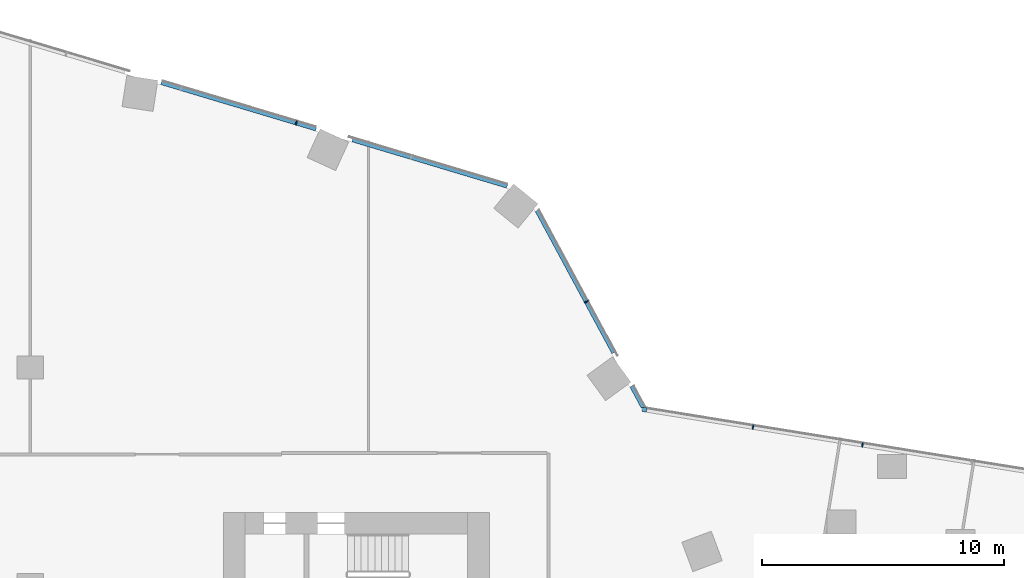
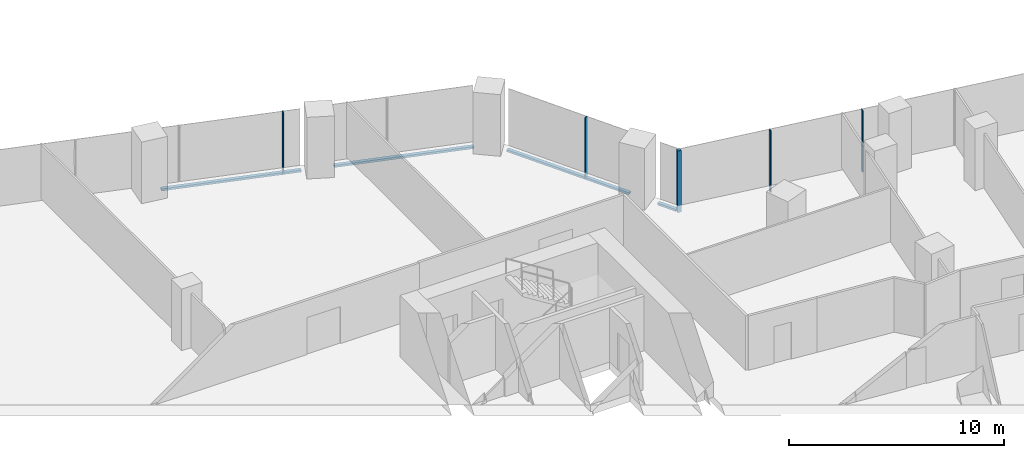
# One storey, part 13 of 34: 9 members, 3 elements without a shape of their own.
"""IFC4 building model written with IfcOpenShell, lengths in metres."""

import ifcopenshell
import ifcopenshell.guid

model = None  # the IFC model being written
_history = None  # IfcOwnerHistory: only IFC2X3 demands one
_inside = {}  # id of a spatial element -> (the spatial element, [elements in it])
_under = {}  # id of a project, library or spatial element -> (it, [spatial elements below it])
_declared = {}  # id of a project -> (the project, [libraries it declares])
_typed = {}  # id of a type object -> (the type object, [elements of that type])
_made_of = {}  # id of a material, layer set ... -> (it, [elements and type objects made of it])


def new_model(schema):
    """Start an empty IFC model of exactly this schema.

    Asked for "IFC4X3", IfcOpenShell would pick the latest addendum, in which some entities
    have other attributes; the version numbers below select the first issue.
    IFC2X3 requires an IfcOwnerHistory on every rooted entity: one is made here for all.
    """
    global model, _history
    if schema == "IFC4X3":
        model = ifcopenshell.file(schema_version=(4, 3, 0, 0))
    else:
        model = ifcopenshell.file(schema=schema)
    _inside.clear()
    _under.clear()
    _declared.clear()
    _typed.clear()
    _made_of.clear()
    _history = None
    if model.schema == "IFC2X3":
        org = make("IfcOrganization", Name="unknown")
        user = make(
            "IfcPersonAndOrganization",
            ThePerson=make("IfcPerson", FamilyName="unknown"),
            TheOrganization=org,
        )
        app = make(
            "IfcApplication",
            ApplicationDeveloper=org,
            Version="unknown",
            ApplicationFullName="unknown",
            ApplicationIdentifier="unknown",
        )
        _history = make(
            "IfcOwnerHistory",
            OwningUser=user,
            OwningApplication=app,
            ChangeAction="ADDED",
            CreationDate=0,
        )
    return model


def make(cls, **values):
    """One entity of the class cls with the attributes given. An attribute that is None is left unset."""
    return model.create_entity(
        cls, **{name: value for name, value in values.items() if value is not None}
    )


def rooted(cls, **values):
    """An entity with a GlobalId (a new one), such as an element, a storey or a relation."""
    return make(cls, GlobalId=ifcopenshell.guid.new(), OwnerHistory=_history, **values)


def si_unit(unit_type, name, prefix=None):
    """IfcSIUnit, for example si_unit("LENGTHUNIT", "METRE", prefix="MILLI")."""
    return make("IfcSIUnit", UnitType=unit_type, Prefix=prefix, Name=name)


def assignment(units):
    """IfcUnitAssignment: the units of a project."""
    return None if units is None else make("IfcUnitAssignment", Units=units)


def point(xyz):
    """IfcCartesianPoint."""
    return None if xyz is None else make("IfcCartesianPoint", Coordinates=xyz)


def direction(xyz):
    """IfcDirection."""
    return None if xyz is None else make("IfcDirection", DirectionRatios=xyz)


def frame(location, z_axis=None, x_axis=None):
    """IfcAxis2Placement3D, a coordinate frame: its origin and axes. An axis left out is left unset."""
    return make(
        "IfcAxis2Placement3D",
        Location=point(location),
        Axis=direction(z_axis),
        RefDirection=direction(x_axis),
    )


def frame_2d(location, x_axis=None):
    """IfcAxis2Placement2D, a coordinate frame in the plane: its origin and x axis."""
    return make(
        "IfcAxis2Placement2D", Location=point(location), RefDirection=direction(x_axis)
    )


def origin():
    """The frame at (0, 0, 0) with its axes left unset."""
    return frame((0.0, 0.0, 0.0))


def origin_2d():
    """The frame at (0, 0) in the plane with its x axis left unset."""
    return frame_2d((0.0, 0.0))


def place(relative_to, where):
    """IfcLocalPlacement: puts the frame where relative to a parent placement (None: the world)."""
    return make(
        "IfcLocalPlacement", PlacementRelTo=relative_to, RelativePlacement=where
    )


def context(
    kind, dimensions, precision=None, world=None, true_north=None, identifier=None
):
    """IfcGeometricRepresentationContext, for example the 3D "Model" context."""
    return make(
        "IfcGeometricRepresentationContext",
        ContextIdentifier=identifier,
        ContextType=kind,
        CoordinateSpaceDimension=dimensions,
        Precision=precision,
        WorldCoordinateSystem=world,
        TrueNorth=true_north,
    )


def subcontext(parent, identifier, kind, view, scale=None):
    """IfcGeometricRepresentationSubContext, for example "Body" below "Model"."""
    return make(
        "IfcGeometricRepresentationSubContext",
        ContextIdentifier=identifier,
        ContextType=kind,
        ParentContext=parent,
        TargetScale=scale,
        TargetView=view,
    )


def project(units=None, contexts=None):
    """IfcProject with its units and contexts."""
    return rooted(
        "IfcProject",
        Name="project",
        RepresentationContexts=contexts,
        UnitsInContext=assignment(units),
    )


def spatial(cls, under=None, at=None, **own):
    """A site, building, storey or space (cls), placed at a placement, below another one or the project."""
    s = rooted(cls, ObjectPlacement=at, **own)
    if under is not None:
        _under.setdefault(under.id(), (under, []))[1].append(s)
    return s


def profile(cls, at=None, kind="AREA", **sizes):
    """A parametric profile (cls). Its sizes go by their IFC names, for example OverallWidth=200.0."""
    return make(cls, ProfileType=kind, Position=at, **sizes)


def rectangle(**sizes):
    """IfcRectangleProfileDef."""
    return profile("IfcRectangleProfileDef", **sizes)


def extrude(swept, where, along, depth):
    """IfcExtrudedAreaSolid: the profile swept, set in the frame where, extruded along a direction by depth."""
    return make(
        "IfcExtrudedAreaSolid",
        SweptArea=swept,
        Position=where,
        ExtrudedDirection=direction(along),
        Depth=depth,
    )


def shape(context_of_items, identifier, shape_type, items):
    """IfcShapeRepresentation: the items that make up one representation, for example the "Body"."""
    return make(
        "IfcShapeRepresentation",
        ContextOfItems=context_of_items,
        RepresentationIdentifier=identifier,
        RepresentationType=shape_type,
        Items=items,
    )


def material(Name=None, Category=None):
    """IfcMaterial."""
    return make("IfcMaterial", Name=Name, Category=Category)


def material_profile(
    of_material, cross_section, Name=None, Category=None, Priority=None
):
    """IfcMaterialProfile: a cross section and its material."""
    return make(
        "IfcMaterialProfile",
        Name=Name,
        Material=of_material,
        Profile=cross_section,
        Priority=Priority,
        Category=Category,
    )


def profile_set(profiles, Name=None, composite=None):
    """IfcMaterialProfileSet."""
    return make(
        "IfcMaterialProfileSet",
        Name=Name,
        MaterialProfiles=profiles,
        CompositeProfile=composite,
    )


def made_of(thing, what):
    """Note that an element or type object is made of a material, layer set ...; save() writes the relation."""
    if what is not None:
        _made_of.setdefault(what.id(), (what, []))[1].append(thing)
    return thing


def type_object(cls, material=None, **own):
    """A type object (cls), such as IfcWallType, which elements share."""
    return made_of(rooted(cls, **own), material)


def element(
    cls,
    number,
    at=None,
    inside=None,
    cuts=None,
    type_object=None,
    material=None,
    context=None,
    identifier="Body",
    shape_type=None,
    held_by="IfcProductDefinitionShape",
    body=None,
    shapes=None,
    **own,
):
    """One element of the class cls, such as IfcWall. Its Tag is "e" and its number.

    at: its placement. inside: the storey or other place that contains it. cuts: it is an
    opening in that element (IfcRelVoidsElement). A single representation is given by context,
    identifier, shape_type and body (its items); several are given by shapes. held_by: the class
    of the entity that holds the representations. save() writes the other relations.
    """
    e = rooted(cls, Tag="e%d" % number, ObjectPlacement=at, **own)
    if body is not None:
        shapes = [shape(context, identifier, shape_type, body)]
    if shapes is not None:
        e.Representation = make(held_by, Representations=shapes)
    if inside is not None:
        _inside.setdefault(inside.id(), (inside, []))[1].append(e)
    if cuts is not None:
        rooted(
            "IfcRelVoidsElement", RelatingBuildingElement=cuts, RelatedOpeningElement=e
        )
    if type_object is not None:
        _typed.setdefault(type_object.id(), (type_object, []))[1].append(e)
    return made_of(e, material)


def aggregate(whole, parts):
    """IfcRelAggregates: a whole, such as a stair, and the parts it consists of."""
    return rooted("IfcRelAggregates", RelatingObject=whole, RelatedObjects=parts)


def save(model, path):
    """Write the relations noted so far, then the file.

    IfcRelAggregates (storeys below a building ...), IfcRelContainedInSpatialStructure (elements
    in a storey), IfcRelDefinesByType, IfcRelAssociatesMaterial and IfcRelDeclares: one each for
    every whole, place, type object, material and project.
    """
    for whole, parts in _under.values():
        aggregate(whole, parts)
    for where, things in _inside.values():
        rooted(
            "IfcRelContainedInSpatialStructure",
            RelatedElements=things,
            RelatingStructure=where,
        )
    for kind, things in _typed.values():
        rooted("IfcRelDefinesByType", RelatedObjects=things, RelatingType=kind)
    for what, things in _made_of.values():
        rooted("IfcRelAssociatesMaterial", RelatedObjects=things, RelatingMaterial=what)
    for by, libraries in _declared.values():
        rooted("IfcRelDeclares", RelatingContext=by, RelatedDefinitions=libraries)
    model.write(path)


model = new_model("IFC4")

# Units and contexts
model_context = context("Model", 3, precision=1e-05, world=origin(), true_north=direction((0.0, 1.0)))
body_context = subcontext(model_context, "Body", "Model", "MODEL_VIEW")
ifc_project = project(units=[si_unit("LENGTHUNIT", "METRE"), si_unit("AREAUNIT", "SQUARE_METRE"), si_unit("VOLUMEUNIT", "CUBIC_METRE"), si_unit("PLANEANGLEUNIT", "RADIAN"), si_unit("MASSUNIT", "GRAM", prefix="KILO")], contexts=[model_context])

# Site, building, storey
site_placement = place(None, origin())
site = spatial("IfcSite", under=ifc_project, at=site_placement, CompositionType="ELEMENT")
building_placement = place(site_placement, origin())
building = spatial("IfcBuilding", under=site, at=building_placement, Name="Orlundy Tower", CompositionType="ELEMENT")
storey_placement = place(building_placement, frame((0.0, 0.0, 127.199951171875)))
storey = spatial("IfcBuildingStorey", under=building, at=storey_placement, Name="L32", CompositionType="ELEMENT", Elevation=127.199951171875)

# Curtain wall, member
ifc_material_1 = material(Name="Aluminium bronze anodised", Category="aluminium")
curtain_wall_type = type_object("IfcCurtainWallType", Name="CW1 wall", PredefinedType="NOTDEFINED", material=ifc_material_1)
curtain_wall_1_placement = place(storey_placement, origin())
curtain_wall_1 = element("IfcCurtainWall", 1, at=curtain_wall_1_placement, inside=storey, type_object=curtain_wall_type, Name="CW1 run 06", PredefinedType="NOTDEFINED")
ifc_material_2 = material(Name="Aluminium bronze anodised", Category="aluminium")
ifc_material_profile_1 = material_profile(ifc_material_2, rectangle(XDim=0.179931640625, YDim=0.179931640625, at=origin_2d()), Name="CW1 corner post 180x180")
ifc_profile_set_1 = profile_set([ifc_material_profile_1], Name="Aluminium bronze anodised")
member_type_1 = type_object("IfcMemberType", Name="CW1 corner post 180x180", PredefinedType="MULLION", material=ifc_profile_set_1)
member_1_placement = place(storey_placement, frame((25.425048828125, 16.246826171875, -0.39990234375), z_axis=(0.0, 0.0, 1.0), x_axis=(0.159302095871, 0.987229883184, 0.0)))
member_1 = element("IfcMember", 2, at=member_1_placement, type_object=member_type_1, Name="CW1 mullion 26", PredefinedType="MULLION", context=body_context, shape_type="SweptSolid", body=[
    extrude(rectangle(XDim=0.179931640625, YDim=0.179931640625, at=origin_2d()), origin(), (0.0, 0.0, 1.0), 3.5),
])

curtain_wall_2_placement = place(storey_placement, origin())
curtain_wall_2 = element("IfcCurtainWall", 3, at=curtain_wall_2_placement, inside=storey, type_object=curtain_wall_type, Name="CW1 run 04", PredefinedType="NOTDEFINED")
ifc_material_3 = material(Name="Aluminium bronze anodised", Category="aluminium")
ifc_material_profile_2 = material_profile(ifc_material_3, rectangle(XDim=0.179931640625, YDim=0.050048828125, at=origin_2d()), Name="CW1 mullion 50x180")
ifc_profile_set_2 = profile_set([ifc_material_profile_2], Name="Aluminium bronze anodised")
member_type_2 = type_object("IfcMemberType", Name="CW1 mullion 50x180", PredefinedType="MULLION", material=ifc_profile_set_2)
member_2_placement = place(storey_placement, frame((11.010498046875, 28.113525390625, -0.39990234375), z_axis=(0.0, 0.0, 1.0), x_axis=(0.286816257107, 0.957985612971, 0.0)))
member_2 = element("IfcMember", 4, at=member_2_placement, type_object=member_type_2, Name="CW1 mullion 22", PredefinedType="MULLION", context=body_context, shape_type="SweptSolid", body=[
    extrude(rectangle(XDim=0.179931640625, YDim=0.050048828125, at=origin_2d()), origin(), (0.0, 0.0, 1.0), 3.5),
])

curtain_wall_3_placement = place(storey_placement, origin())
curtain_wall_3 = element("IfcCurtainWall", 5, at=curtain_wall_3_placement, inside=storey, type_object=curtain_wall_type, Name="CW1 run 05", PredefinedType="NOTDEFINED")
member_3_placement = place(storey_placement, frame((23.0166015625, 20.713134765625, -0.39990234375), z_axis=(0.0, 0.0, 1.0), x_axis=(0.880188659482, 0.4746239814, 0.0)))
member_3 = element("IfcMember", 6, at=member_3_placement, type_object=member_type_2, Name="CW1 mullion 25", PredefinedType="MULLION", context=body_context, shape_type="SweptSolid", body=[
    extrude(rectangle(XDim=0.179931640625, YDim=0.050048828125, at=origin_2d()), origin(), (0.0, 0.0, 1.0), 3.5),
])

# Member
member_4_placement = place(storey_placement, frame((29.91162109375, 15.52294921875, -0.39990234375), z_axis=(0.0, 0.0, 1.0), x_axis=(0.159302095871, 0.987229883184, 0.0)))
member_4 = element("IfcMember", 7, at=member_4_placement, type_object=member_type_2, Name="CW1 mullion 27", PredefinedType="MULLION", context=body_context, shape_type="SweptSolid", body=[
    extrude(rectangle(XDim=0.179931640625, YDim=0.050048828125, at=origin_2d()), origin(), (0.0, 0.0, 1.0), 3.5),
])

member_5_placement = place(storey_placement, frame((34.441650390625, 14.791748046875, -0.39990234375), z_axis=(0.0, 0.0, 1.0), x_axis=(0.159302095871, 0.987229883184, 0.0)))
member_5 = element("IfcMember", 8, at=member_5_placement, type_object=member_type_2, Name="CW1 mullion 28", PredefinedType="MULLION", context=body_context, shape_type="SweptSolid", body=[
    extrude(rectangle(XDim=0.179931640625, YDim=0.050048828125, at=origin_2d()), origin(), (0.0, 0.0, 1.0), 3.5),
])

aggregate(curtain_wall_1, [member_1, member_4, member_5])

ifc_material_4 = material(Name="Aluminium bronze anodised", Category="aluminium")
ifc_material_profile_3 = material_profile(ifc_material_4, rectangle(XDim=0.179931640625, YDim=0.1201171875, at=origin_2d()), Name="CW1 transom 180x120")
ifc_profile_set_3 = profile_set([ifc_material_profile_3], Name="Aluminium bronze anodised")
member_type_3 = type_object("IfcMemberType", Name="CW1 transom 180x120", PredefinedType="USERDEFINED", material=ifc_profile_set_3)
member_6_placement = place(storey_placement, frame((5.42333984375, 29.7861328125, -0.33984375), z_axis=(0.957990744373, -0.28679911732, 0.0), x_axis=(0.28679911732, 0.957990744373, 0.0)))
member_6 = element("IfcMember", 9, at=member_6_placement, type_object=member_type_3, Name="CW1 transom", ObjectType="TRANSOM", PredefinedType="USERDEFINED", context=body_context, shape_type="SweptSolid", body=[
    extrude(rectangle(XDim=0.179931640625, YDim=0.1201171875, at=origin_2d()), origin(), (0.0, 0.0, 1.0), 6.6943359375),
])

member_7_placement = place(storey_placement, frame((13.3359375, 27.417236328125, -0.33984375), z_axis=(0.957985946762, -0.28681514222, 0.0), x_axis=(0.28681514222, 0.957985946762, 0.0)))
member_7 = element("IfcMember", 10, at=member_7_placement, type_object=member_type_3, Name="CW1 transom", ObjectType="TRANSOM", PredefinedType="USERDEFINED", context=body_context, shape_type="SweptSolid", body=[
    extrude(rectangle(XDim=0.179931640625, YDim=0.1201171875, at=origin_2d()), origin(), (0.0, 0.0, 1.0), 6.685302734375),
])

aggregate(curtain_wall_2, [member_2, member_6, member_7])

member_8_placement = place(storey_placement, frame((20.980712890625, 24.489013671875, -0.33984375), z_axis=(0.474619880398, -0.880190870852, 0.0), x_axis=(0.880190870852, 0.474619880398, 0.0)))
member_8 = element("IfcMember", 11, at=member_8_placement, type_object=member_type_3, Name="CW1 transom", ObjectType="TRANSOM", PredefinedType="USERDEFINED", context=body_context, shape_type="SweptSolid", body=[
    extrude(rectangle(XDim=0.179931640625, YDim=0.1201171875, at=origin_2d()), origin(), (0.0, 0.0, 1.0), 6.689697265625),
])

member_9_placement = place(storey_placement, frame((24.896728515625, 17.226806640625, -0.33984375), z_axis=(0.474638444539, -0.880180860372, 0.0), x_axis=(0.880180860372, 0.474638444539, 0.0)))
member_9 = element("IfcMember", 12, at=member_9_placement, type_object=member_type_3, Name="CW1 transom", ObjectType="TRANSOM", PredefinedType="USERDEFINED", context=body_context, shape_type="SweptSolid", body=[
    extrude(rectangle(XDim=0.179931640625, YDim=0.1201171875, at=origin_2d()), origin(), (0.0, 0.0, 1.0), 1.0),
])

aggregate(curtain_wall_3, [member_3, member_8, member_9])

save(model, "model.ifc")
